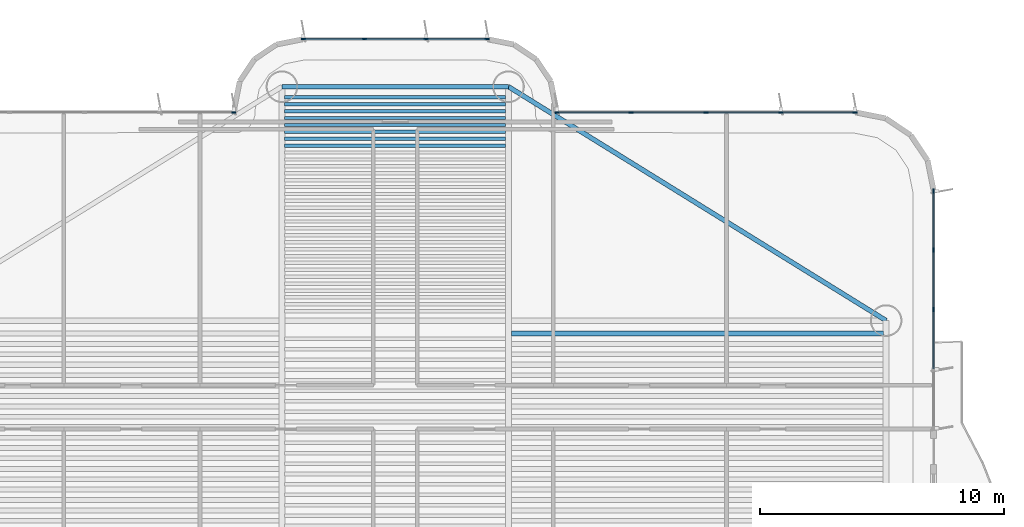
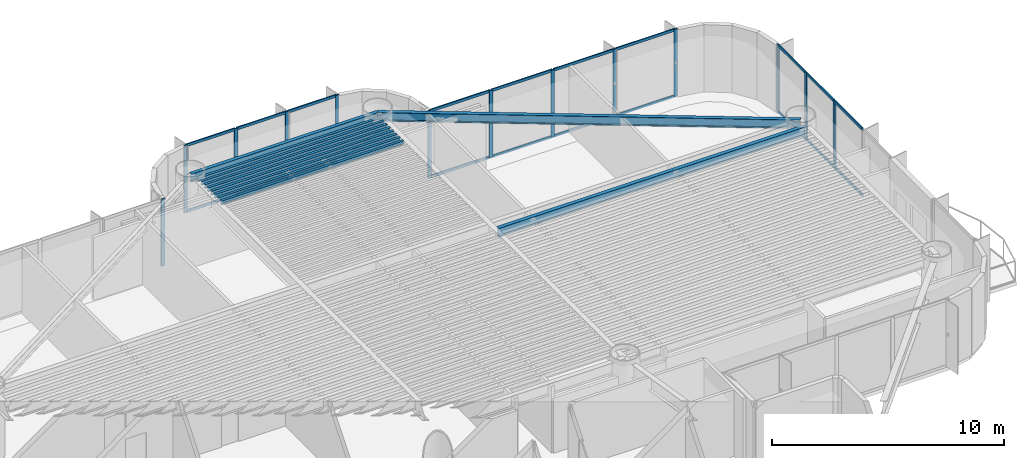
# One storey, part 7 of 16: 33 members, 11 beams, 4 elements without a shape of their own.
"""IFC4 building model written with IfcOpenShell, lengths in metres."""

from ifc_helpers import new_model, si_unit, direction, frame, origin, origin_2d, place, context, subcontext, project, spatial, rectangle, i_section, extrude, source, transform, mapped, material, layer, layer_set, material_profile, profile_set, type_object, element, aggregate, save


model = new_model("IFC4")

# Units and contexts
model_context = context("Model", 3, precision=1e-05, world=origin(), true_north=direction((0.0, 1.0)))
body_context = subcontext(model_context, "Body", "Model", "MODEL_VIEW")
ifc_project = project(units=[si_unit("LENGTHUNIT", "METRE"), si_unit("AREAUNIT", "SQUARE_METRE"), si_unit("VOLUMEUNIT", "CUBIC_METRE"), si_unit("PLANEANGLEUNIT", "RADIAN"), si_unit("MASSUNIT", "GRAM", prefix="KILO")], contexts=[model_context])

# Site, building, storey
site_placement = place(None, origin())
site = spatial("IfcSite", under=ifc_project, at=site_placement, CompositionType="ELEMENT")
building_placement = place(site_placement, origin())
building = spatial("IfcBuilding", under=site, at=building_placement, Name="Brelvock Crest Care Tower", CompositionType="ELEMENT")
storey_placement = place(building_placement, frame((0.0, 0.0, 123.840087890625)))
storey = spatial("IfcBuildingStorey", under=building, at=storey_placement, Name="L31", CompositionType="ELEMENT", Elevation=123.840087890625)

# Beams
ifc_material_1 = material(Name="Steel Grade 350", Category="steel")
ifc_material_profile_1 = material_profile(ifc_material_1, i_section(OverallWidth=0.177978515625, OverallDepth=0.406005859375, WebThickness=0.0078125, FlangeThickness=0.0126953125, FilletRadius=0.011474609375, at=origin_2d()), Name="410UB59.7")
ifc_profile_set_1 = profile_set([ifc_material_profile_1], Name="Steel Grade 350")
beam_type_1 = type_object("IfcBeamType", Name="BM-SP1", PredefinedType="SPANDREL", material=ifc_profile_set_1)
shared_shape_1 = source(origin(), body_context, "Body", "SweptSolid", [
    extrude(i_section(OverallWidth=0.177978515625, OverallDepth=0.406005859375, WebThickness=0.0078125, FlangeThickness=0.0126953125, FilletRadius=0.011474609375, at=origin_2d()), origin(), (0.0, 0.0, 1.0), 9.2998046875),
])
beam_1_placement = place(storey_placement, frame((31.35009765625, 48.449951171875, 3.326904296875), z_axis=(1.0, 0.0, 0.0), x_axis=(0.0, 1.0, 0.0)))
element("IfcBeam", 1, at=beam_1_placement, inside=storey, type_object=beam_type_1, Name="BM-TWR-L31-08", PredefinedType="SPANDREL", context=body_context, shape_type="MappedRepresentation", body=[
    mapped(shared_shape_1, transform((0.0, 0.0, 0.0), x_axis=(1.0, 0.0, 0.0), y_axis=(0.0, 1.0, 0.0), z_axis=(0.0, 0.0, 1.0), scale=1.0)),
])
ifc_material_profile_2 = material_profile(ifc_material_1, i_section(OverallWidth=0.134033203125, OverallDepth=0.20703125, WebThickness=0.00634765625, FlangeThickness=0.009521484375, FilletRadius=0.0087890625, at=origin_2d()), Name="200UB29.8")
ifc_profile_set_2 = profile_set([ifc_material_profile_2], Name="Steel Grade 350")
beam_type_2 = type_object("IfcBeamType", Name="BM-J4", PredefinedType="JOIST", material=ifc_profile_set_2)
shared_shape_2 = source(origin(), body_context, "Body", "SweptSolid", [
    extrude(i_section(OverallWidth=0.134033203125, OverallDepth=0.20703125, WebThickness=0.00634765625, FlangeThickness=0.009521484375, FilletRadius=0.0087890625, at=origin_2d()), origin(), (0.0, 0.0, 1.0), 9.06982421875),
])
for number, where, z_axis, x_axis, name in (
    (2, (31.465087890625, 46.03076171875, 3.426513671875), (1.0, 0.0, 0.0), (0.0, 1.0, 0.0), "BM-JN-L31-25"),
    (3, (31.465087890625, 46.31396484375, 3.426513671875), (1.0, 0.0, 0.0), (0.0, 1.0, 0.0), "BM-JN-L31-26"),
    (4, (31.465087890625, 46.59716796875, 3.426513671875), (1.0, 0.0, 0.0), (0.0, 1.0, 0.0), "BM-JN-L31-27"),
    (5, (31.465087890625, 46.88037109375, 3.426513671875), (1.0, 0.0, 0.0), (0.0, 1.0, 0.0), "BM-JN-L31-28"),
    (6, (31.465087890625, 47.16357421875, 3.426513671875), (1.0, 0.0, 0.0), (0.0, 1.0, 0.0), "BM-JN-L31-29"),
    (7, (31.465087890625, 47.44677734375, 3.426513671875), (1.0, 0.0, 0.0), (0.0, 1.0, 0.0), "BM-JN-L31-30"),
    (8, (31.465087890625, 47.72998046875, 3.426513671875), (1.0, 0.0, 0.0), (0.0, 1.0, 0.0), "BM-JN-L31-31"),
    (9, (31.465087890625, 48.01318359375, 3.426513671875), (1.0, 0.0, 0.0), (0.0, 1.0, 0.0), "BM-JN-L31-32"),
):
    element("IfcBeam", number, at=place(storey_placement, frame(where, z_axis=z_axis, x_axis=x_axis)), inside=storey, type_object=beam_type_2, Name=name, PredefinedType="JOIST", context=body_context, shape_type="MappedRepresentation", body=[
        mapped(shared_shape_2, transform((0.0, 0.0, 0.0), x_axis=(1.0, 0.0, 0.0), y_axis=(0.0, 1.0, 0.0), z_axis=(0.0, 0.0, 1.0), scale=1.0)),
    ])
ifc_material_profile_3 = material_profile(ifc_material_1, i_section(OverallWidth=0.19091796875, OverallDepth=0.4599609375, WebThickness=0.010009765625, FlangeThickness=0.01611328125, FilletRadius=0.011474609375, at=origin_2d()), Name="460UB82.1")
ifc_profile_set_3 = profile_set([ifc_material_profile_3], Name="Steel Grade 350")
beam_type_3 = type_object("IfcBeamType", Name="BM-G3", PredefinedType="BEAM", material=ifc_profile_set_3)
shared_shape_3 = source(origin(), body_context, "Body", "SweptSolid", [
    extrude(i_section(OverallWidth=0.19091796875, OverallDepth=0.4599609375, WebThickness=0.010009765625, FlangeThickness=0.01611328125, FilletRadius=0.011474609375, at=origin_2d()), origin(), (0.0, 0.0, 1.0), 15.27001953125),
])
beam_2_placement = place(storey_placement, frame((40.764892578125, 38.317626953125, 3.2998046875), z_axis=(1.0, 0.0, 0.0), x_axis=(0.0, 1.0, 0.0)))
element("IfcBeam", 10, at=beam_2_placement, inside=storey, type_object=beam_type_3, Name="BM-JE-L31-26", PredefinedType="BEAM", context=body_context, shape_type="MappedRepresentation", body=[
    mapped(shared_shape_3, transform((0.0, 0.0, 0.0), x_axis=(1.0, 0.0, 0.0), y_axis=(0.0, 1.0, 0.0), z_axis=(0.0, 0.0, 1.0), scale=1.0)),
])
ifc_material_profile_4 = material_profile(ifc_material_1, i_section(OverallWidth=0.19091796875, OverallDepth=0.4599609375, WebThickness=0.010009765625, FlangeThickness=0.01611328125, FilletRadius=0.011474609375, at=origin_2d()), Name="460UB82.1")
ifc_profile_set_4 = profile_set([ifc_material_profile_4], Name="Steel Grade 350")
beam_type_4 = type_object("IfcBeamType", Name="BM-SP2", PredefinedType="SPANDREL", material=ifc_profile_set_4)
shared_shape_4 = source(origin(), body_context, "Body", "SweptSolid", [
    extrude(i_section(OverallWidth=0.19091796875, OverallDepth=0.4599609375, WebThickness=0.010009765625, FlangeThickness=0.01611328125, FilletRadius=0.011474609375, at=origin_2d()), origin(), (0.0, 0.0, 1.0), 18.23193359375),
])
beam_3_placement = place(storey_placement, frame((40.64990234375, 48.449951171875, 3.2998046875), z_axis=(0.85015183248, -0.526537616635, 0.0), x_axis=(0.526537616635, 0.85015183248, 0.0)))
element("IfcBeam", 11, at=beam_3_placement, inside=storey, type_object=beam_type_4, Name="BM-TWR-L31-07", PredefinedType="SPANDREL", context=body_context, shape_type="MappedRepresentation", body=[
    mapped(shared_shape_4, transform((0.0, 0.0, 0.0), x_axis=(1.0, 0.0, 0.0), y_axis=(0.0, 1.0, 0.0), z_axis=(0.0, 0.0, 1.0), scale=1.0)),
])

# Curtain wall, member
ifc_material_2 = material(Name="Dark Glass Double Glazed Low-E", Category="glass")
ifc_layer = layer(ifc_material_2, 0.2099609375, Name="CWS-3")
ifc_layer_set = layer_set([ifc_layer], Name="Dark Glass Double Glazed Low-E")
curtain_wall_type = type_object("IfcCurtainWallType", Name="CWS-3", PredefinedType="NOTDEFINED", material=ifc_layer_set)
curtain_wall_1_placement = place(storey_placement, origin())
curtain_wall_1 = element("IfcCurtainWall", 12, at=curtain_wall_1_placement, inside=storey, type_object=curtain_wall_type, Name="L31 Curtain Wall E22", PredefinedType="NOTDEFINED")
ifc_material_3 = material(Name="Aluminium 6063-T6", Category="aluminium")
ifc_material_profile_5 = material_profile(ifc_material_3, rectangle(XDim=0.06005859375, YDim=0.179931640625, at=origin_2d()), Name="ALU60x180")
ifc_profile_set_5 = profile_set([ifc_material_profile_5], Name="Aluminium 6063-T6")
member_type_1 = type_object("IfcMemberType", Name="CWM-2", PredefinedType="MULLION", material=ifc_profile_set_5)
shared_shape_5 = source(origin(), body_context, "Body", "SweptSolid", [
    extrude(rectangle(XDim=0.06005859375, YDim=0.179931640625, at=origin_2d()), origin(), (0.0, 0.0, 1.0), 3.530029296875),
])
member_1_placement = place(storey_placement, frame((29.3701171875, 47.39990234375, 0.0), z_axis=(0.0, 0.0, 1.0), x_axis=(0.0, 1.0, 0.0)))
member_1 = element("IfcMember", 13, at=member_1_placement, type_object=member_type_1, Name="CW-3 mullion 5", PredefinedType="MULLION", context=body_context, shape_type="MappedRepresentation", body=[
    mapped(shared_shape_5, transform((0.0, 0.0, 0.0), x_axis=(1.0, 0.0, 0.0), y_axis=(0.0, 1.0, 0.0), z_axis=(0.0, 0.0, 1.0), scale=1.0)),
])
aggregate(curtain_wall_1, [member_1])

# Curtain wall, members
curtain_wall_2_placement = place(storey_placement, origin())
curtain_wall_2 = element("IfcCurtainWall", 14, at=curtain_wall_2_placement, inside=storey, type_object=curtain_wall_type, Name="L31 Curtain Wall E28", PredefinedType="NOTDEFINED")
member_2_placement = place(storey_placement, frame((32.22998046875, 50.39990234375, 0.0), z_axis=(0.0, 0.0, 1.0), x_axis=(0.0, 1.0, 0.0)))
member_2 = element("IfcMember", 15, at=member_2_placement, type_object=member_type_1, Name="CW-3 mullion 1", PredefinedType="MULLION", context=body_context, shape_type="MappedRepresentation", body=[
    mapped(shared_shape_5, transform((0.0, 0.0, 0.0), x_axis=(1.0, 0.0, 0.0), y_axis=(0.0, 1.0, 0.0), z_axis=(0.0, 0.0, 1.0), scale=1.0)),
])
member_3_placement = place(storey_placement, frame((34.7333984375, 50.39990234375, 0.0), z_axis=(0.0, 0.0, 1.0), x_axis=(0.0, 1.0, 0.0)))
member_3 = element("IfcMember", 16, at=member_3_placement, type_object=member_type_1, Name="CW-3 mullion 2", PredefinedType="MULLION", context=body_context, shape_type="MappedRepresentation", body=[
    mapped(shared_shape_5, transform((0.0, 0.0, 0.0), x_axis=(1.0, 0.0, 0.0), y_axis=(0.0, 1.0, 0.0), z_axis=(0.0, 0.0, 1.0), scale=1.0)),
])
member_4_placement = place(storey_placement, frame((37.2666015625, 50.39990234375, 0.0), z_axis=(0.0, 0.0, 1.0), x_axis=(0.0, 1.0, 0.0)))
member_4 = element("IfcMember", 17, at=member_4_placement, type_object=member_type_1, Name="CW-3 mullion 3", PredefinedType="MULLION", context=body_context, shape_type="MappedRepresentation", body=[
    mapped(shared_shape_5, transform((0.0, 0.0, 0.0), x_axis=(1.0, 0.0, 0.0), y_axis=(0.0, 1.0, 0.0), z_axis=(0.0, 0.0, 1.0), scale=1.0)),
])
member_5_placement = place(storey_placement, frame((39.77001953125, 50.39990234375, 0.0), z_axis=(0.0, 0.0, 1.0), x_axis=(0.0, 1.0, 0.0)))
member_5 = element("IfcMember", 18, at=member_5_placement, type_object=member_type_1, Name="CW-3 mullion 4", PredefinedType="MULLION", context=body_context, shape_type="MappedRepresentation", body=[
    mapped(shared_shape_5, transform((0.0, 0.0, 0.0), x_axis=(1.0, 0.0, 0.0), y_axis=(0.0, 1.0, 0.0), z_axis=(0.0, 0.0, 1.0), scale=1.0)),
])

curtain_wall_3_placement = place(storey_placement, origin())
curtain_wall_3 = element("IfcCurtainWall", 19, at=curtain_wall_3_placement, inside=storey, type_object=curtain_wall_type, Name="L31 Curtain Wall E34", PredefinedType="NOTDEFINED")
member_6_placement = place(storey_placement, frame((42.6298828125, 47.39990234375, 0.0), z_axis=(0.0, 0.0, 1.0), x_axis=(0.0, 1.0, 0.0)))
member_6 = element("IfcMember", 20, at=member_6_placement, type_object=member_type_1, Name="CW-3 mullion 1", PredefinedType="MULLION", context=body_context, shape_type="MappedRepresentation", body=[
    mapped(shared_shape_5, transform((0.0, 0.0, 0.0), x_axis=(1.0, 0.0, 0.0), y_axis=(0.0, 1.0, 0.0), z_axis=(0.0, 0.0, 1.0), scale=1.0)),
])
member_7_placement = place(storey_placement, frame((45.675048828125, 47.39990234375, 0.0), z_axis=(0.0, 0.0, 1.0), x_axis=(0.0, 1.0, 0.0)))
member_7 = element("IfcMember", 21, at=member_7_placement, type_object=member_type_1, Name="CW-3 mullion 2", PredefinedType="MULLION", context=body_context, shape_type="MappedRepresentation", body=[
    mapped(shared_shape_5, transform((0.0, 0.0, 0.0), x_axis=(1.0, 0.0, 0.0), y_axis=(0.0, 1.0, 0.0), z_axis=(0.0, 0.0, 1.0), scale=1.0)),
])
member_8_placement = place(storey_placement, frame((48.75, 47.39990234375, 0.0), z_axis=(0.0, 0.0, 1.0), x_axis=(0.0, 1.0, 0.0)))
member_8 = element("IfcMember", 22, at=member_8_placement, type_object=member_type_1, Name="CW-3 mullion 3", PredefinedType="MULLION", context=body_context, shape_type="MappedRepresentation", body=[
    mapped(shared_shape_5, transform((0.0, 0.0, 0.0), x_axis=(1.0, 0.0, 0.0), y_axis=(0.0, 1.0, 0.0), z_axis=(0.0, 0.0, 1.0), scale=1.0)),
])
member_9_placement = place(storey_placement, frame((51.824951171875, 47.39990234375, 0.0), z_axis=(0.0, 0.0, 1.0), x_axis=(0.0, 1.0, 0.0)))
member_9 = element("IfcMember", 23, at=member_9_placement, type_object=member_type_1, Name="CW-3 mullion 4", PredefinedType="MULLION", context=body_context, shape_type="MappedRepresentation", body=[
    mapped(shared_shape_5, transform((0.0, 0.0, 0.0), x_axis=(1.0, 0.0, 0.0), y_axis=(0.0, 1.0, 0.0), z_axis=(0.0, 0.0, 1.0), scale=1.0)),
])
member_10_placement = place(storey_placement, frame((54.8701171875, 47.39990234375, 0.0), z_axis=(0.0, 0.0, 1.0), x_axis=(0.0, 1.0, 0.0)))
member_10 = element("IfcMember", 24, at=member_10_placement, type_object=member_type_1, Name="CW-3 mullion 5", PredefinedType="MULLION", context=body_context, shape_type="MappedRepresentation", body=[
    mapped(shared_shape_5, transform((0.0, 0.0, 0.0), x_axis=(1.0, 0.0, 0.0), y_axis=(0.0, 1.0, 0.0), z_axis=(0.0, 0.0, 1.0), scale=1.0)),
])

curtain_wall_4_placement = place(storey_placement, origin())
curtain_wall_4 = element("IfcCurtainWall", 25, at=curtain_wall_4_placement, inside=storey, type_object=curtain_wall_type, Name="L31 Curtain Wall E39A", PredefinedType="NOTDEFINED")
member_11_placement = place(storey_placement, frame((58.10009765625, 44.169921875, 0.0), z_axis=(0.0, 0.0, 1.0), x_axis=(1.0, 0.0, 0.0)))
member_11 = element("IfcMember", 26, at=member_11_placement, type_object=member_type_1, Name="CW-3 mullion 1", PredefinedType="MULLION", context=body_context, shape_type="MappedRepresentation", body=[
    mapped(shared_shape_5, transform((0.0, 0.0, 0.0), x_axis=(1.0, 0.0, 0.0), y_axis=(0.0, 1.0, 0.0), z_axis=(0.0, 0.0, 1.0), scale=1.0)),
])
member_12_placement = place(storey_placement, frame((58.10009765625, 41.75, 0.0), z_axis=(0.0, 0.0, 1.0), x_axis=(1.0, 0.0, 0.0)))
member_12 = element("IfcMember", 27, at=member_12_placement, type_object=member_type_1, Name="CW-3 mullion 2", PredefinedType="MULLION", context=body_context, shape_type="MappedRepresentation", body=[
    mapped(shared_shape_5, transform((0.0, 0.0, 0.0), x_axis=(1.0, 0.0, 0.0), y_axis=(0.0, 1.0, 0.0), z_axis=(0.0, 0.0, 1.0), scale=1.0)),
])
member_13_placement = place(storey_placement, frame((58.10009765625, 39.300048828125, 0.0), z_axis=(0.0, 0.0, 1.0), x_axis=(1.0, 0.0, 0.0)))
member_13 = element("IfcMember", 28, at=member_13_placement, type_object=member_type_1, Name="CW-3 mullion 3", PredefinedType="MULLION", context=body_context, shape_type="MappedRepresentation", body=[
    mapped(shared_shape_5, transform((0.0, 0.0, 0.0), x_axis=(1.0, 0.0, 0.0), y_axis=(0.0, 1.0, 0.0), z_axis=(0.0, 0.0, 1.0), scale=1.0)),
])

# Member
ifc_material_profile_6 = material_profile(ifc_material_3, rectangle(XDim=0.06005859375, YDim=0.139892578125, at=origin_2d()), Name="ALU60x140")
ifc_profile_set_6 = profile_set([ifc_material_profile_6], Name="Aluminium 6063-T6")
member_type_2 = type_object("IfcMemberType", Name="CWT-2", PredefinedType="USERDEFINED", material=ifc_profile_set_6)
shared_shape_6 = source(origin(), body_context, "Body", "SweptSolid", [
    extrude(rectangle(XDim=0.06005859375, YDim=0.139892578125, at=origin_2d()), origin(), (0.0, 0.0, 1.0), 2.985107421875),
])
member_14_placement = place(storey_placement, frame((42.659912109375, 47.39990234375, 0.030029296875), z_axis=(1.0, 0.0, 0.0), x_axis=(0.0, 1.0, 0.0)))
member_14 = element("IfcMember", 29, at=member_14_placement, type_object=member_type_2, Name="CW-3 transom 1.1", ObjectType="TRANSOM", PredefinedType="USERDEFINED", context=body_context, shape_type="MappedRepresentation", body=[
    mapped(shared_shape_6, transform((0.0, 0.0, 0.0), x_axis=(1.0, 0.0, 0.0), y_axis=(0.0, 1.0, 0.0), z_axis=(0.0, 0.0, 1.0), scale=1.0)),
])

member_15_placement = place(storey_placement, frame((42.659912109375, 47.39990234375, 3.5), z_axis=(1.0, 0.0, 0.0), x_axis=(0.0, 1.0, 0.0)))
member_15 = element("IfcMember", 30, at=member_15_placement, type_object=member_type_2, Name="CW-3 transom 1.2", ObjectType="TRANSOM", PredefinedType="USERDEFINED", context=body_context, shape_type="MappedRepresentation", body=[
    mapped(shared_shape_6, transform((0.0, 0.0, 0.0), x_axis=(1.0, 0.0, 0.0), y_axis=(0.0, 1.0, 0.0), z_axis=(0.0, 0.0, 1.0), scale=1.0)),
])

member_16_placement = place(storey_placement, frame((51.85498046875, 47.39990234375, 0.030029296875), z_axis=(1.0, 0.0, 0.0), x_axis=(0.0, 1.0, 0.0)))
member_16 = element("IfcMember", 31, at=member_16_placement, type_object=member_type_2, Name="CW-3 transom 4.1", ObjectType="TRANSOM", PredefinedType="USERDEFINED", context=body_context, shape_type="MappedRepresentation", body=[
    mapped(shared_shape_6, transform((0.0, 0.0, 0.0), x_axis=(1.0, 0.0, 0.0), y_axis=(0.0, 1.0, 0.0), z_axis=(0.0, 0.0, 1.0), scale=1.0)),
])

member_17_placement = place(storey_placement, frame((51.85498046875, 47.39990234375, 3.5), z_axis=(1.0, 0.0, 0.0), x_axis=(0.0, 1.0, 0.0)))
member_17 = element("IfcMember", 32, at=member_17_placement, type_object=member_type_2, Name="CW-3 transom 4.2", ObjectType="TRANSOM", PredefinedType="USERDEFINED", context=body_context, shape_type="MappedRepresentation", body=[
    mapped(shared_shape_6, transform((0.0, 0.0, 0.0), x_axis=(1.0, 0.0, 0.0), y_axis=(0.0, 1.0, 0.0), z_axis=(0.0, 0.0, 1.0), scale=1.0)),
])

shared_shape_7 = source(origin(), body_context, "Body", "SweptSolid", [
    extrude(rectangle(XDim=0.06005859375, YDim=0.139892578125, at=origin_2d()), origin(), (0.0, 0.0, 1.0), 3.014892578125),
])
member_18_placement = place(storey_placement, frame((45.705078125, 47.39990234375, 0.030029296875), z_axis=(1.0, 0.0, 0.0), x_axis=(0.0, 1.0, 0.0)))
member_18 = element("IfcMember", 33, at=member_18_placement, type_object=member_type_2, Name="CW-3 transom 2.1", ObjectType="TRANSOM", PredefinedType="USERDEFINED", context=body_context, shape_type="MappedRepresentation", body=[
    mapped(shared_shape_7, transform((0.0, 0.0, 0.0), x_axis=(1.0, 0.0, 0.0), y_axis=(0.0, 1.0, 0.0), z_axis=(0.0, 0.0, 1.0), scale=1.0)),
])

member_19_placement = place(storey_placement, frame((45.705078125, 47.39990234375, 3.5), z_axis=(1.0, 0.0, 0.0), x_axis=(0.0, 1.0, 0.0)))
member_19 = element("IfcMember", 34, at=member_19_placement, type_object=member_type_2, Name="CW-3 transom 2.2", ObjectType="TRANSOM", PredefinedType="USERDEFINED", context=body_context, shape_type="MappedRepresentation", body=[
    mapped(shared_shape_7, transform((0.0, 0.0, 0.0), x_axis=(1.0, 0.0, 0.0), y_axis=(0.0, 1.0, 0.0), z_axis=(0.0, 0.0, 1.0), scale=1.0)),
])

member_20_placement = place(storey_placement, frame((48.780029296875, 47.39990234375, 0.030029296875), z_axis=(1.0, 0.0, 0.0), x_axis=(0.0, 1.0, 0.0)))
member_20 = element("IfcMember", 35, at=member_20_placement, type_object=member_type_2, Name="CW-3 transom 3.1", ObjectType="TRANSOM", PredefinedType="USERDEFINED", context=body_context, shape_type="MappedRepresentation", body=[
    mapped(shared_shape_7, transform((0.0, 0.0, 0.0), x_axis=(1.0, 0.0, 0.0), y_axis=(0.0, 1.0, 0.0), z_axis=(0.0, 0.0, 1.0), scale=1.0)),
])

member_21_placement = place(storey_placement, frame((48.780029296875, 47.39990234375, 3.5), z_axis=(1.0, 0.0, 0.0), x_axis=(0.0, 1.0, 0.0)))
member_21 = element("IfcMember", 36, at=member_21_placement, type_object=member_type_2, Name="CW-3 transom 3.2", ObjectType="TRANSOM", PredefinedType="USERDEFINED", context=body_context, shape_type="MappedRepresentation", body=[
    mapped(shared_shape_7, transform((0.0, 0.0, 0.0), x_axis=(1.0, 0.0, 0.0), y_axis=(0.0, 1.0, 0.0), z_axis=(0.0, 0.0, 1.0), scale=1.0)),
])

aggregate(curtain_wall_3, [member_6, member_7, member_8, member_9, member_10, member_14, member_15, member_18, member_19, member_20, member_21, member_16, member_17])

shared_shape_8 = source(origin(), body_context, "Body", "SweptSolid", [
    extrude(rectangle(XDim=0.06005859375, YDim=0.139892578125, at=origin_2d()), origin(), (0.0, 0.0, 1.0), 2.443359375),
])
member_22_placement = place(storey_placement, frame((32.260009765625, 50.39990234375, 0.030029296875), z_axis=(1.0, 0.0, 0.0), x_axis=(0.0, 1.0, 0.0)))
member_22 = element("IfcMember", 37, at=member_22_placement, type_object=member_type_2, Name="CW-3 transom 1.1", ObjectType="TRANSOM", PredefinedType="USERDEFINED", context=body_context, shape_type="MappedRepresentation", body=[
    mapped(shared_shape_8, transform((0.0, 0.0, 0.0), x_axis=(1.0, 0.0, 0.0), y_axis=(0.0, 1.0, 0.0), z_axis=(0.0, 0.0, 1.0), scale=1.0)),
])

member_23_placement = place(storey_placement, frame((32.260009765625, 50.39990234375, 3.5), z_axis=(1.0, 0.0, 0.0), x_axis=(0.0, 1.0, 0.0)))
member_23 = element("IfcMember", 38, at=member_23_placement, type_object=member_type_2, Name="CW-3 transom 1.2", ObjectType="TRANSOM", PredefinedType="USERDEFINED", context=body_context, shape_type="MappedRepresentation", body=[
    mapped(shared_shape_8, transform((0.0, 0.0, 0.0), x_axis=(1.0, 0.0, 0.0), y_axis=(0.0, 1.0, 0.0), z_axis=(0.0, 0.0, 1.0), scale=1.0)),
])

member_24_placement = place(storey_placement, frame((37.296630859375, 50.39990234375, 0.030029296875), z_axis=(1.0, 0.0, 0.0), x_axis=(0.0, 1.0, 0.0)))
member_24 = element("IfcMember", 39, at=member_24_placement, type_object=member_type_2, Name="CW-3 transom 3.1", ObjectType="TRANSOM", PredefinedType="USERDEFINED", context=body_context, shape_type="MappedRepresentation", body=[
    mapped(shared_shape_8, transform((0.0, 0.0, 0.0), x_axis=(1.0, 0.0, 0.0), y_axis=(0.0, 1.0, 0.0), z_axis=(0.0, 0.0, 1.0), scale=1.0)),
])

member_25_placement = place(storey_placement, frame((37.296630859375, 50.39990234375, 3.5), z_axis=(1.0, 0.0, 0.0), x_axis=(0.0, 1.0, 0.0)))
member_25 = element("IfcMember", 40, at=member_25_placement, type_object=member_type_2, Name="CW-3 transom 3.2", ObjectType="TRANSOM", PredefinedType="USERDEFINED", context=body_context, shape_type="MappedRepresentation", body=[
    mapped(shared_shape_8, transform((0.0, 0.0, 0.0), x_axis=(1.0, 0.0, 0.0), y_axis=(0.0, 1.0, 0.0), z_axis=(0.0, 0.0, 1.0), scale=1.0)),
])

shared_shape_9 = source(origin(), body_context, "Body", "SweptSolid", [
    extrude(rectangle(XDim=0.06005859375, YDim=0.139892578125, at=origin_2d()), origin(), (0.0, 0.0, 1.0), 2.47314453125),
])
member_26_placement = place(storey_placement, frame((34.763427734375, 50.39990234375, 0.030029296875), z_axis=(1.0, 0.0, 0.0), x_axis=(0.0, 1.0, 0.0)))
member_26 = element("IfcMember", 41, at=member_26_placement, type_object=member_type_2, Name="CW-3 transom 2.1", ObjectType="TRANSOM", PredefinedType="USERDEFINED", context=body_context, shape_type="MappedRepresentation", body=[
    mapped(shared_shape_9, transform((0.0, 0.0, 0.0), x_axis=(1.0, 0.0, 0.0), y_axis=(0.0, 1.0, 0.0), z_axis=(0.0, 0.0, 1.0), scale=1.0)),
])

member_27_placement = place(storey_placement, frame((34.763427734375, 50.39990234375, 3.5), z_axis=(1.0, 0.0, 0.0), x_axis=(0.0, 1.0, 0.0)))
member_27 = element("IfcMember", 42, at=member_27_placement, type_object=member_type_2, Name="CW-3 transom 2.2", ObjectType="TRANSOM", PredefinedType="USERDEFINED", context=body_context, shape_type="MappedRepresentation", body=[
    mapped(shared_shape_9, transform((0.0, 0.0, 0.0), x_axis=(1.0, 0.0, 0.0), y_axis=(0.0, 1.0, 0.0), z_axis=(0.0, 0.0, 1.0), scale=1.0)),
])

aggregate(curtain_wall_2, [member_2, member_3, member_4, member_5, member_22, member_23, member_26, member_27, member_24, member_25])

shared_shape_10 = source(origin(), body_context, "Body", "SweptSolid", [
    extrude(rectangle(XDim=0.06005859375, YDim=0.139892578125, at=origin_2d()), origin(), (0.0, 0.0, 1.0), 2.39013671875),
])
member_28_placement = place(storey_placement, frame((58.10009765625, 39.27001953125, 0.030029296875), z_axis=(0.0, -1.0, 0.0), x_axis=(1.0, 0.0, 0.0)))
member_28 = element("IfcMember", 43, at=member_28_placement, type_object=member_type_2, Name="CW-3 transom 3.1", ObjectType="TRANSOM", PredefinedType="USERDEFINED", context=body_context, shape_type="MappedRepresentation", body=[
    mapped(shared_shape_10, transform((0.0, 0.0, 0.0), x_axis=(1.0, 0.0, 0.0), y_axis=(0.0, 1.0, 0.0), z_axis=(0.0, 0.0, 1.0), scale=1.0)),
])

member_29_placement = place(storey_placement, frame((58.10009765625, 39.27001953125, 3.5), z_axis=(0.0, -1.0, 0.0), x_axis=(1.0, 0.0, 0.0)))
member_29 = element("IfcMember", 44, at=member_29_placement, type_object=member_type_2, Name="CW-3 transom 3.2", ObjectType="TRANSOM", PredefinedType="USERDEFINED", context=body_context, shape_type="MappedRepresentation", body=[
    mapped(shared_shape_10, transform((0.0, 0.0, 0.0), x_axis=(1.0, 0.0, 0.0), y_axis=(0.0, 1.0, 0.0), z_axis=(0.0, 0.0, 1.0), scale=1.0)),
])

shared_shape_11 = source(origin(), body_context, "Body", "SweptSolid", [
    extrude(rectangle(XDim=0.06005859375, YDim=0.139892578125, at=origin_2d()), origin(), (0.0, 0.0, 1.0), 2.389892578125),
])
member_30_placement = place(storey_placement, frame((58.10009765625, 41.719970703125, 0.030029296875), z_axis=(0.0, -1.0, 0.0), x_axis=(1.0, 0.0, 0.0)))
member_30 = element("IfcMember", 45, at=member_30_placement, type_object=member_type_2, Name="CW-3 transom 2.1", ObjectType="TRANSOM", PredefinedType="USERDEFINED", context=body_context, shape_type="MappedRepresentation", body=[
    mapped(shared_shape_11, transform((0.0, 0.0, 0.0), x_axis=(1.0, 0.0, 0.0), y_axis=(0.0, 1.0, 0.0), z_axis=(0.0, 0.0, 1.0), scale=1.0)),
])

member_31_placement = place(storey_placement, frame((58.10009765625, 41.719970703125, 3.5), z_axis=(0.0, -1.0, 0.0), x_axis=(1.0, 0.0, 0.0)))
member_31 = element("IfcMember", 46, at=member_31_placement, type_object=member_type_2, Name="CW-3 transom 2.2", ObjectType="TRANSOM", PredefinedType="USERDEFINED", context=body_context, shape_type="MappedRepresentation", body=[
    mapped(shared_shape_11, transform((0.0, 0.0, 0.0), x_axis=(1.0, 0.0, 0.0), y_axis=(0.0, 1.0, 0.0), z_axis=(0.0, 0.0, 1.0), scale=1.0)),
])

shared_shape_12 = source(origin(), body_context, "Body", "SweptSolid", [
    extrude(rectangle(XDim=0.06005859375, YDim=0.139892578125, at=origin_2d()), origin(), (0.0, 0.0, 1.0), 2.35986328125),
])
member_32_placement = place(storey_placement, frame((58.10009765625, 44.139892578125, 0.030029296875), z_axis=(0.0, -1.0, 0.0), x_axis=(1.0, 0.0, 0.0)))
member_32 = element("IfcMember", 47, at=member_32_placement, type_object=member_type_2, Name="CW-3 transom 1.1", ObjectType="TRANSOM", PredefinedType="USERDEFINED", context=body_context, shape_type="MappedRepresentation", body=[
    mapped(shared_shape_12, transform((0.0, 0.0, 0.0), x_axis=(1.0, 0.0, 0.0), y_axis=(0.0, 1.0, 0.0), z_axis=(0.0, 0.0, 1.0), scale=1.0)),
])

member_33_placement = place(storey_placement, frame((58.10009765625, 44.139892578125, 3.5), z_axis=(0.0, -1.0, 0.0), x_axis=(1.0, 0.0, 0.0)))
member_33 = element("IfcMember", 48, at=member_33_placement, type_object=member_type_2, Name="CW-3 transom 1.2", ObjectType="TRANSOM", PredefinedType="USERDEFINED", context=body_context, shape_type="MappedRepresentation", body=[
    mapped(shared_shape_12, transform((0.0, 0.0, 0.0), x_axis=(1.0, 0.0, 0.0), y_axis=(0.0, 1.0, 0.0), z_axis=(0.0, 0.0, 1.0), scale=1.0)),
])

aggregate(curtain_wall_4, [member_11, member_12, member_13, member_32, member_33, member_30, member_31, member_28, member_29])

save(model, "model.ifc")
